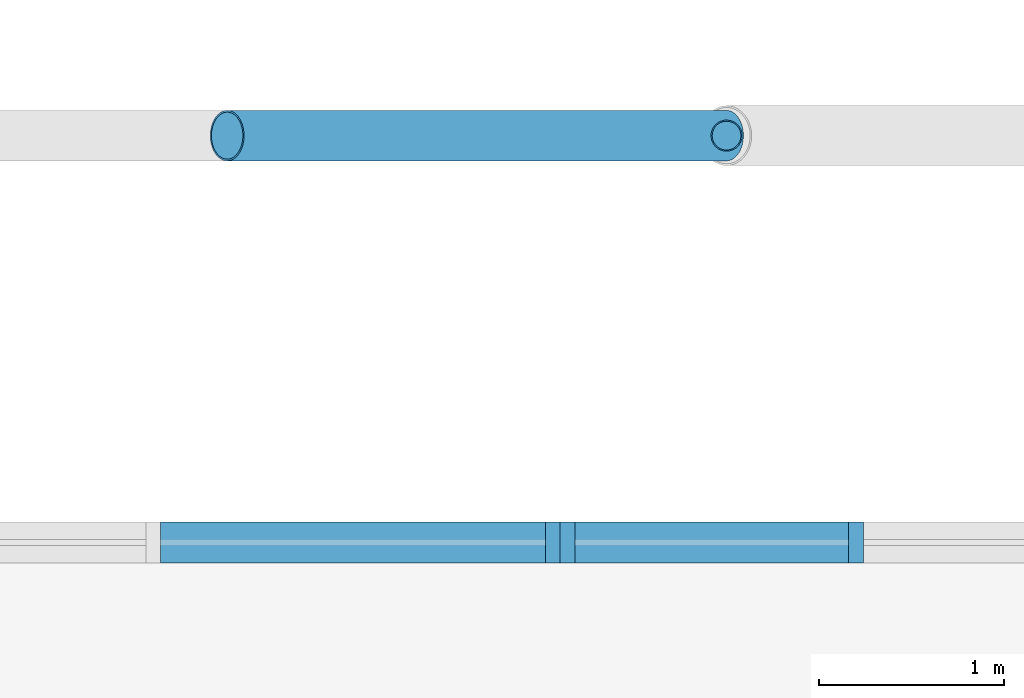
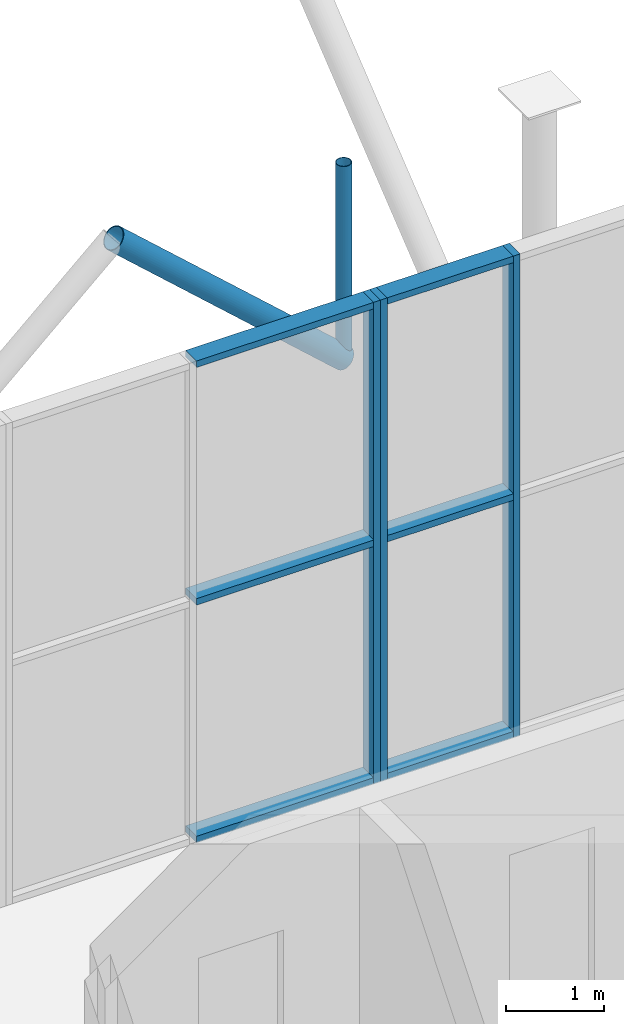
# One storey, part 52 of 109: 11 members, 2 elements without a shape of their own.
"""IFC4 building model written with IfcOpenShell, lengths in metres."""

from ifc_helpers import new_model, si_unit, derived_unit, direction, frame, origin, origin_2d_with_axis, place, context, subcontext, project, spatial, rectangle, hollow_circle, extrude, material, material_profile, profile_set, type_object, element, aggregate, save


model = new_model("IFC4")

# Units and contexts
model_context = context("Model", 3, precision=1e-05, world=origin(), true_north=direction((0.0, 1.0)))
body_context = subcontext(model_context, "Body", "Model", "MODEL_VIEW")
ifc_project = project(units=[si_unit("LENGTHUNIT", "METRE"), si_unit("AREAUNIT", "SQUARE_METRE"), si_unit("VOLUMEUNIT", "CUBIC_METRE"), si_unit("PLANEANGLEUNIT", "RADIAN"), si_unit("MASSUNIT", "GRAM", prefix="KILO"), derived_unit("THERMALTRANSMITTANCEUNIT", [(si_unit("POWERUNIT", "WATT"), 1), (si_unit("LENGTHUNIT", "METRE"), -2), (si_unit("THERMODYNAMICTEMPERATUREUNIT", "KELVIN"), -1)])], contexts=[model_context])

# Site, building, storey
site_placement = place(None, origin())
site = spatial("IfcSite", under=ifc_project, at=site_placement, CompositionType="ELEMENT")
building_placement = place(site_placement, origin())
building = spatial("IfcBuilding", under=site, at=building_placement, Name="Cinnabar Yard Market Hall", CompositionType="ELEMENT")
storey_placement = place(building_placement, frame((0.0, 0.0, 8.39990234375)))
storey = spatial("IfcBuildingStorey", under=building, at=storey_placement, Name="L02", CompositionType="ELEMENT", Elevation=8.39990234375)

# Curtain wall, member
ifc_material_1 = material(Name="Anodised bronze aluminium and low-E glass", Category="aluminium")
curtain_wall_type_1 = type_object("IfcCurtainWallType", Name="CW-CWH044x60", PredefinedType="NOTDEFINED", material=ifc_material_1)
curtain_wall_1_placement = place(storey_placement, origin())
curtain_wall_1 = element("IfcCurtainWall", 1, at=curtain_wall_1_placement, inside=storey, type_object=curtain_wall_type_1, Name="Market Hall North Upper Clerestory PTW", PredefinedType="NOTDEFINED")
ifc_material_2 = material(Name="Anodised bronze aluminium", Category="aluminium")
ifc_material_profile_1 = material_profile(ifc_material_2, rectangle(XDim=0.219970703125, YDim=0.080078125, at=origin_2d_with_axis()), Name="MUL-CWH")
ifc_profile_set_1 = profile_set([ifc_material_profile_1], Name="Anodised bronze aluminium")
member_type_1 = type_object("IfcMemberType", Name="CWM-CWH", PredefinedType="MULLION", material=ifc_profile_set_1)
member_1_placement = place(storey_placement, frame((92.760009765625, 71.800048828125, 0.0), z_axis=(0.0, 0.0, 1.0), x_axis=(0.0, -1.0, 0.0)))
member_1 = element("IfcMember", 2, at=member_1_placement, type_object=member_type_1, Name="CWH044x60 mullion 1", PredefinedType="MULLION", context=body_context, shape_type="SweptSolid", body=[
    extrude(rectangle(XDim=0.219970703125, YDim=0.080078125, at=origin_2d_with_axis()), origin(), (0.0, 0.0, 1.0), 5.97998046875),
])

# Curtain wall, members
curtain_wall_type_2 = type_object("IfcCurtainWallType", Name="CW-CWH032x60", PredefinedType="NOTDEFINED", material=ifc_material_1)
curtain_wall_2_placement = place(storey_placement, origin())
curtain_wall_2 = element("IfcCurtainWall", 3, at=curtain_wall_2_placement, inside=storey, type_object=curtain_wall_type_2, Name="Market Hall North Upper Clerestory B1B", PredefinedType="NOTDEFINED")
member_2_placement = place(storey_placement, frame((94.39990234375, 71.800048828125, 0.0), z_axis=(0.0, 0.0, 1.0), x_axis=(0.0, -1.0, 0.0)))
member_2 = element("IfcMember", 4, at=member_2_placement, type_object=member_type_1, Name="CWH032x60 mullion 2", PredefinedType="MULLION", context=body_context, shape_type="SweptSolid", body=[
    extrude(rectangle(XDim=0.219970703125, YDim=0.080078125, at=origin_2d_with_axis()), origin(), (0.0, 0.0, 1.0), 5.97998046875),
])
member_3_placement = place(storey_placement, frame((92.840087890625, 71.800048828125, 0.0), z_axis=(0.0, 0.0, 1.0), x_axis=(0.0, -1.0, 0.0)))
member_3 = element("IfcMember", 5, at=member_3_placement, type_object=member_type_1, Name="CWH032x60 mullion 3", PredefinedType="MULLION", context=body_context, shape_type="SweptSolid", body=[
    extrude(rectangle(XDim=0.219970703125, YDim=0.080078125, at=origin_2d_with_axis()), origin(), (0.0, 0.0, 1.0), 5.97998046875),
])

# Member
ifc_material_profile_2 = material_profile(ifc_material_2, rectangle(XDim=0.219970703125, YDim=0.080078125, at=origin_2d_with_axis()), Name="TRN-CWH")
ifc_profile_set_2 = profile_set([ifc_material_profile_2], Name="Anodised bronze aluminium")
member_type_2 = type_object("IfcMemberType", Name="CWT-CWH", PredefinedType="USERDEFINED", material=ifc_profile_set_2)
member_4_placement = place(storey_placement, frame((92.719970703125, 71.800048828125, 0.0400390625), z_axis=(-1.0, 0.0, 0.0), x_axis=(0.0, -1.0, 0.0)))
member_4 = element("IfcMember", 6, at=member_4_placement, type_object=member_type_2, Name="CWH044x60 transom 1.1", ObjectType="TRANSOM", PredefinedType="USERDEFINED", context=body_context, shape_type="SweptSolid", body=[
    extrude(rectangle(XDim=0.219970703125, YDim=0.080078125, at=origin_2d_with_axis()), origin(), (0.0, 0.0, 1.0), 2.080078125),
])

member_5_placement = place(storey_placement, frame((92.719970703125, 71.800048828125, 2.989990234375), z_axis=(-1.0, 0.0, 0.0), x_axis=(0.0, -1.0, 0.0)))
member_5 = element("IfcMember", 7, at=member_5_placement, type_object=member_type_2, Name="CWH044x60 transom 1.2", ObjectType="TRANSOM", PredefinedType="USERDEFINED", context=body_context, shape_type="SweptSolid", body=[
    extrude(rectangle(XDim=0.219970703125, YDim=0.080078125, at=origin_2d_with_axis()), origin(), (0.0, 0.0, 1.0), 2.080078125),
])

member_6_placement = place(storey_placement, frame((92.719970703125, 71.800048828125, 5.940185546875), z_axis=(-1.0, 0.0, 0.0), x_axis=(0.0, -1.0, 0.0)))
member_6 = element("IfcMember", 8, at=member_6_placement, type_object=member_type_2, Name="CWH044x60 transom 1.3", ObjectType="TRANSOM", PredefinedType="USERDEFINED", context=body_context, shape_type="SweptSolid", body=[
    extrude(rectangle(XDim=0.219970703125, YDim=0.080078125, at=origin_2d_with_axis()), origin(), (0.0, 0.0, 1.0), 2.080078125),
])

aggregate(curtain_wall_1, [member_1, member_4, member_5, member_6])

member_7_placement = place(storey_placement, frame((94.360107421875, 71.800048828125, 0.0400390625), z_axis=(-1.0, 0.0, 0.0), x_axis=(0.0, -1.0, 0.0)))
member_7 = element("IfcMember", 9, at=member_7_placement, type_object=member_type_2, Name="CWH032x60 transom 2.1", ObjectType="TRANSOM", PredefinedType="USERDEFINED", context=body_context, shape_type="SweptSolid", body=[
    extrude(rectangle(XDim=0.219970703125, YDim=0.080078125, at=origin_2d_with_axis()), origin(), (0.0, 0.0, 1.0), 1.480224609375),
])

member_8_placement = place(storey_placement, frame((94.360107421875, 71.800048828125, 2.989990234375), z_axis=(-1.0, 0.0, 0.0), x_axis=(0.0, -1.0, 0.0)))
member_8 = element("IfcMember", 10, at=member_8_placement, type_object=member_type_2, Name="CWH032x60 transom 2.2", ObjectType="TRANSOM", PredefinedType="USERDEFINED", context=body_context, shape_type="SweptSolid", body=[
    extrude(rectangle(XDim=0.219970703125, YDim=0.080078125, at=origin_2d_with_axis()), origin(), (0.0, 0.0, 1.0), 1.480224609375),
])

member_9_placement = place(storey_placement, frame((94.360107421875, 71.800048828125, 5.940185546875), z_axis=(-1.0, 0.0, 0.0), x_axis=(0.0, -1.0, 0.0)))
member_9 = element("IfcMember", 11, at=member_9_placement, type_object=member_type_2, Name="CWH032x60 transom 2.3", ObjectType="TRANSOM", PredefinedType="USERDEFINED", context=body_context, shape_type="SweptSolid", body=[
    extrude(rectangle(XDim=0.219970703125, YDim=0.080078125, at=origin_2d_with_axis()), origin(), (0.0, 0.0, 1.0), 1.480224609375),
])

aggregate(curtain_wall_2, [member_2, member_3, member_7, member_8, member_9])

# Members
ifc_material_3 = material(Name="Spotted-gum glulam-clad steel Grade 350 (350 MPa)", Category="steel")
ifc_material_profile_3 = material_profile(ifc_material_3, hollow_circle(Radius=0.136474609375, WallThickness=0.00927734375, at=origin_2d_with_axis()), Name="273.1x9.3CHS")
ifc_profile_set_3 = profile_set([ifc_material_profile_3], Name="Spotted-gum glulam-clad steel Grade 350 (350 MPa)")
member_type_3 = type_object("IfcMemberType", Name="MB-AR01E", PredefinedType="USERDEFINED", material=ifc_profile_set_3)
member_10_placement = place(storey_placement, frame((93.699951171875, 74.0, 3.550048828125), z_axis=(-0.743297488271, 0.0, 0.668961018244), x_axis=(0.0, -1.0, 0.0)))
element("IfcMember", 12, at=member_10_placement, inside=storey, type_object=member_type_3, Name="Pointed Arch Rib 0150", ObjectType="ARCH RIB", PredefinedType="USERDEFINED", context=body_context, shape_type="SweptSolid", body=[
    extrude(hollow_circle(Radius=0.136474609375, WallThickness=0.00927734375, at=origin_2d_with_axis()), origin(), (0.0, 0.0, 1.0), 3.63232421875),
])
ifc_material_4 = material(Name="Cold-formed steel C350L0", Category="steel")
ifc_material_profile_4 = material_profile(ifc_material_4, hollow_circle(Radius=0.084228515625, WallThickness=0.00634765625, at=origin_2d_with_axis()), Name="168.3x6.4CHS")
ifc_profile_set_4 = profile_set([ifc_material_profile_4], Name="Cold-formed steel C350L0")
member_type_4 = type_object("IfcMemberType", Name="MB-WB01E", PredefinedType="STRUT", material=ifc_profile_set_4)
member_11_placement = place(storey_placement, frame((93.699951171875, 74.0, 3.550048828125), z_axis=(0.0, 0.0, 1.0), x_axis=(1.0, 0.0, 0.0)))
element("IfcMember", 13, at=member_11_placement, inside=storey, type_object=member_type_4, Name="Arch Spandrel Post 0150", PredefinedType="STRUT", context=body_context, shape_type="SweptSolid", body=[
    extrude(hollow_circle(Radius=0.084228515625, WallThickness=0.00634765625, at=origin_2d_with_axis()), origin(), (0.0, 0.0, 1.0), 2.429931640625),
])

save(model, "model.ifc")
